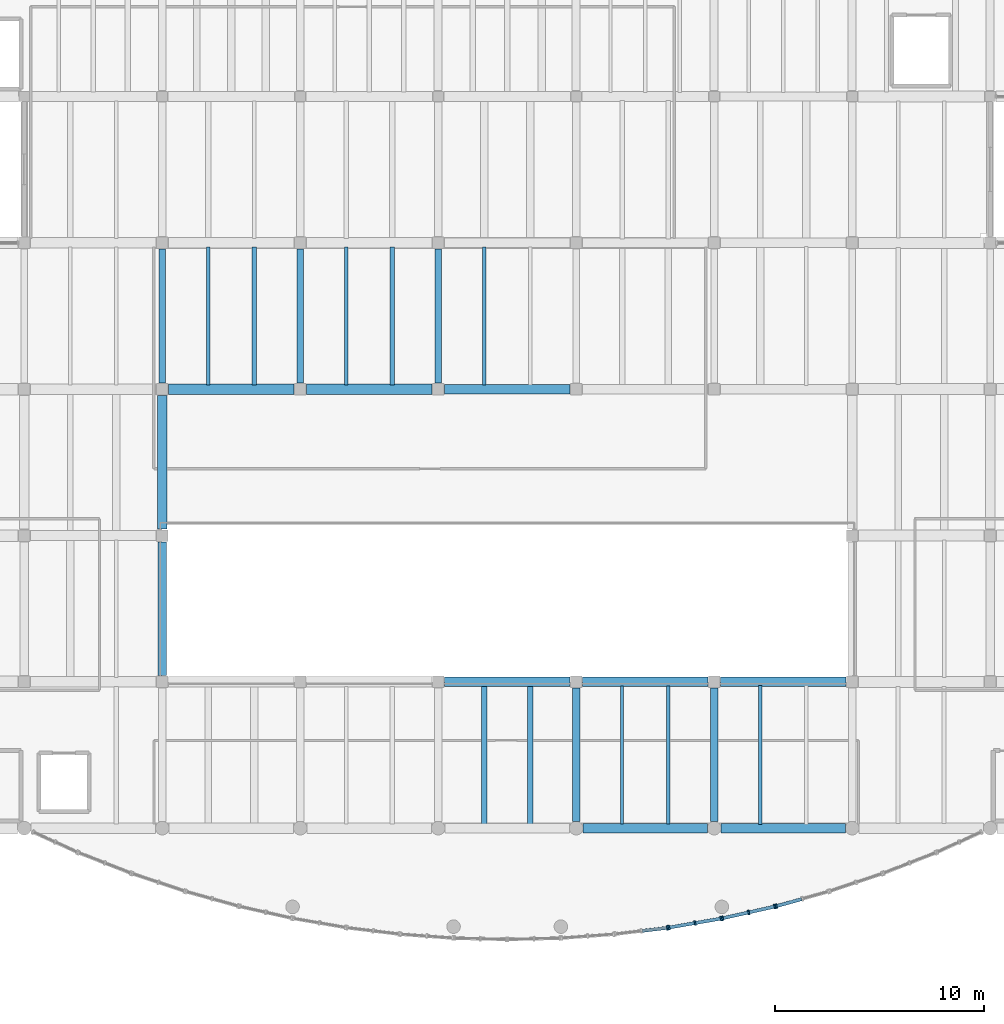
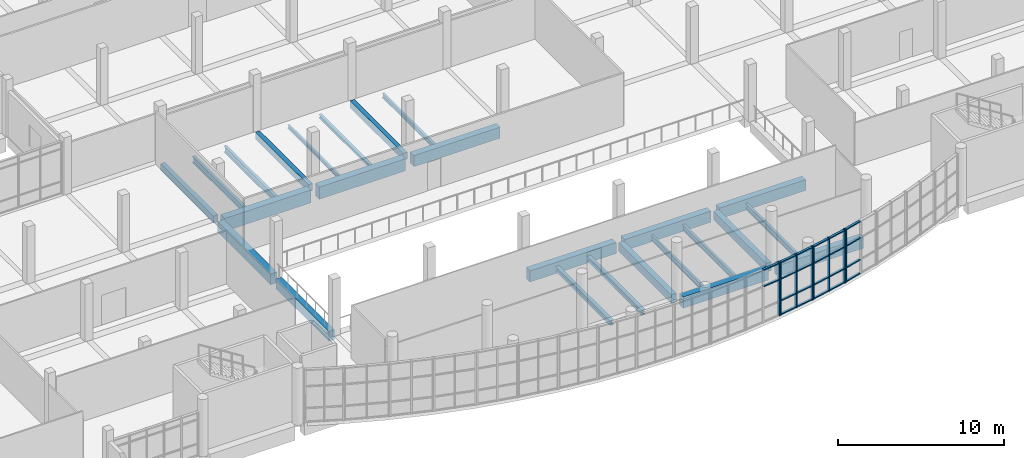
# One storey, part 11 of 65: 30 members, 25 beams, 4 elements without a shape of their own.
"""IFC4 building model written with IfcOpenShell, lengths in metres."""

from ifc_helpers import new_model, si_unit, direction, frame, origin, origin_2d, place, context, subcontext, project, spatial, rectangle, i_section, extrude, material, material_profile, profile_set, type_object, element, aggregate, save


model = new_model("IFC4")

# Units and contexts
model_context = context("Model", 3, precision=1e-05, world=origin(), true_north=direction((0.0, 1.0)))
body_context = subcontext(model_context, "Body", "Model", "MODEL_VIEW")
ifc_project = project(units=[si_unit("LENGTHUNIT", "METRE"), si_unit("AREAUNIT", "SQUARE_METRE"), si_unit("VOLUMEUNIT", "CUBIC_METRE"), si_unit("PLANEANGLEUNIT", "RADIAN"), si_unit("MASSUNIT", "GRAM", prefix="KILO")], contexts=[model_context])

# Site, building, storey
site_placement = place(None, origin())
site = spatial("IfcSite", under=ifc_project, at=site_placement, CompositionType="ELEMENT")
building_placement = place(site_placement, origin())
building = spatial("IfcBuilding", under=site, at=building_placement, Name="Ciguamira Faculty of Natural Sciences", CompositionType="ELEMENT")
storey_placement = place(building_placement, frame((0.0, 0.0, 12.60009765625)))
storey = spatial("IfcBuildingStorey", under=building, at=storey_placement, Name="L03", CompositionType="ELEMENT", Elevation=12.60009765625)

# Curtain wall, member
ifc_material_1 = material(Name="Anodized aluminium curtain wall", Category="aluminium")
curtain_wall_type_1 = type_object("IfcCurtainWallType", Name="CurtainWall_CW-11", PredefinedType="USERDEFINED", material=ifc_material_1)
curtain_wall_1_placement = place(storey_placement, origin())
curtain_wall_1 = element("IfcCurtainWall", 1, at=curtain_wall_1_placement, inside=storey, type_object=curtain_wall_type_1, Name="L03 south gallery curved curtain wall 12", ObjectType="UNITISED CURTAIN WALL", PredefinedType="USERDEFINED")
ifc_material_2 = material(Name="Anodized aluminium mullion", Category="aluminium")
ifc_material_profile_1 = material_profile(ifc_material_2, rectangle(XDim=0.080078125, YDim=0.219970703125, at=origin_2d()), Name="ALU-MUL-80X220")
ifc_profile_set_1 = profile_set([ifc_material_profile_1], Name="Anodized aluminium mullion")
member_type_1 = type_object("IfcMemberType", Name="CWMullion_CWM-03", PredefinedType="MULLION", material=ifc_profile_set_1)
member_1_placement = place(storey_placement, frame((94.660400390625, 5.23828125, 0.0), z_axis=(0.0, 0.0, 1.0), x_axis=(0.992585912631, 0.12154507825, 0.0)))
member_1 = element("IfcMember", 2, at=member_1_placement, type_object=member_type_1, Name="CW-11 mullion 3", PredefinedType="MULLION", context=body_context, shape_type="SweptSolid", body=[
    extrude(rectangle(XDim=0.080078125, YDim=0.219970703125, at=origin_2d()), origin(), (0.0, 0.0, 1.0), 3.89990234375),
])

# Curtain wall, members
curtain_wall_type_2 = type_object("IfcCurtainWallType", Name="CurtainWall_CW-12", PredefinedType="USERDEFINED", material=ifc_material_1)
curtain_wall_2_placement = place(storey_placement, origin())
curtain_wall_2 = element("IfcCurtainWall", 3, at=curtain_wall_2_placement, inside=storey, type_object=curtain_wall_type_2, Name="L03 south gallery curved curtain wall 13", ObjectType="UNITISED CURTAIN WALL", PredefinedType="USERDEFINED")
member_2_placement = place(storey_placement, frame((94.739501953125, 5.25, 0.0), z_axis=(0.0, 0.0, 1.0), x_axis=(0.985410865099, 0.170192323402, 0.0)))
member_2 = element("IfcMember", 4, at=member_2_placement, type_object=member_type_1, Name="CW-12 mullion 1", PredefinedType="MULLION", context=body_context, shape_type="SweptSolid", body=[
    extrude(rectangle(XDim=0.080078125, YDim=0.219970703125, at=origin_2d()), origin(), (0.0, 0.0, 1.0), 3.89990234375),
])
member_3_placement = place(storey_placement, frame((95.9833984375, 5.46484375, 0.0), z_axis=(0.0, 0.0, 1.0), x_axis=(0.985410865099, 0.170192323402, 0.0)))
member_3 = element("IfcMember", 5, at=member_3_placement, type_object=member_type_1, Name="CW-12 mullion 2", PredefinedType="MULLION", context=body_context, shape_type="SweptSolid", body=[
    extrude(rectangle(XDim=0.080078125, YDim=0.219970703125, at=origin_2d()), origin(), (0.0, 0.0, 1.0), 3.89990234375),
])
member_4_placement = place(storey_placement, frame((97.227294921875, 5.6796875, 0.0), z_axis=(0.0, 0.0, 1.0), x_axis=(0.985410865099, 0.170192323402, 0.0)))
member_4 = element("IfcMember", 6, at=member_4_placement, type_object=member_type_1, Name="CW-12 mullion 3", PredefinedType="MULLION", context=body_context, shape_type="SweptSolid", body=[
    extrude(rectangle(XDim=0.080078125, YDim=0.219970703125, at=origin_2d()), origin(), (0.0, 0.0, 1.0), 3.89990234375),
])

curtain_wall_type_3 = type_object("IfcCurtainWallType", Name="CurtainWall_CW-01", PredefinedType="USERDEFINED", material=ifc_material_1)
curtain_wall_3_placement = place(storey_placement, origin())
curtain_wall_3 = element("IfcCurtainWall", 7, at=curtain_wall_3_placement, inside=storey, type_object=curtain_wall_type_3, Name="L03 south gallery curved curtain wall 14", ObjectType="UNITISED CURTAIN WALL", PredefinedType="USERDEFINED")
member_5_placement = place(storey_placement, frame((97.3056640625, 5.6953125, 0.0), z_axis=(0.0, 0.0, 1.0), x_axis=(0.975762990759, 0.218830038763, 0.0)))
member_5 = element("IfcMember", 8, at=member_5_placement, type_object=member_type_1, Name="CW-01 mullion 1", PredefinedType="MULLION", context=body_context, shape_type="SweptSolid", body=[
    extrude(rectangle(XDim=0.080078125, YDim=0.219970703125, at=origin_2d()), origin(), (0.0, 0.0, 1.0), 3.89990234375),
])
member_6_placement = place(storey_placement, frame((98.550048828125, 5.974365234375, 0.0), z_axis=(0.0, 0.0, 1.0), x_axis=(0.975762990759, 0.218830038763, 0.0)))
member_6 = element("IfcMember", 9, at=member_6_placement, type_object=member_type_1, Name="CW-01 mullion 2", PredefinedType="MULLION", context=body_context, shape_type="SweptSolid", body=[
    extrude(rectangle(XDim=0.080078125, YDim=0.219970703125, at=origin_2d()), origin(), (0.0, 0.0, 1.0), 3.89990234375),
])
member_7_placement = place(storey_placement, frame((99.794189453125, 6.25341796875, 0.0), z_axis=(0.0, 0.0, 1.0), x_axis=(0.975762990759, 0.218830038763, 0.0)))
member_7 = element("IfcMember", 10, at=member_7_placement, type_object=member_type_1, Name="CW-01 mullion 3", PredefinedType="MULLION", context=body_context, shape_type="SweptSolid", body=[
    extrude(rectangle(XDim=0.080078125, YDim=0.219970703125, at=origin_2d()), origin(), (0.0, 0.0, 1.0), 3.89990234375),
])

# Curtain wall, member
curtain_wall_type_4 = type_object("IfcCurtainWallType", Name="CurtainWall_CW-02", PredefinedType="USERDEFINED", material=ifc_material_1)
curtain_wall_4_placement = place(storey_placement, origin())
curtain_wall_4 = element("IfcCurtainWall", 11, at=curtain_wall_4_placement, inside=storey, type_object=curtain_wall_type_4, Name="L03 south gallery curved curtain wall 15", ObjectType="UNITISED CURTAIN WALL", PredefinedType="USERDEFINED")
member_8_placement = place(storey_placement, frame((99.871826171875, 6.272705078125, 0.0), z_axis=(0.0, 0.0, 1.0), x_axis=(0.963573286652, 0.267444426472, 0.0)))
member_8 = element("IfcMember", 12, at=member_8_placement, type_object=member_type_1, Name="CW-02 mullion 1", PredefinedType="MULLION", context=body_context, shape_type="SweptSolid", body=[
    extrude(rectangle(XDim=0.080078125, YDim=0.219970703125, at=origin_2d()), origin(), (0.0, 0.0, 1.0), 3.89990234375),
])

# Member
ifc_material_3 = material(Name="Anodized aluminium transom", Category="aluminium")
ifc_material_profile_2 = material_profile(ifc_material_3, rectangle(XDim=0.080078125, YDim=0.159912109375, at=origin_2d()), Name="ALU-TRN-80X160")
ifc_profile_set_2 = profile_set([ifc_material_profile_2], Name="Anodized aluminium transom")
member_type_2 = type_object("IfcMemberType", Name="CWTransom_CWT-03", PredefinedType="USERDEFINED", material=ifc_profile_set_2)
member_9_placement = place(storey_placement, frame((93.456298828125, 5.0908203125, 2.64990234375), z_axis=(0.992585363796, 0.121549560171, 0.0), x_axis=(0.0, 0.0, 1.0)))
member_9 = element("IfcMember", 13, at=member_9_placement, type_object=member_type_2, Name="CW-11 transom 2.3", ObjectType="TRANSOM", PredefinedType="USERDEFINED", context=body_context, shape_type="SweptSolid", body=[
    extrude(rectangle(XDim=0.080078125, YDim=0.159912109375, at=origin_2d()), origin(), (0.0, 0.0, 1.0), 1.173095703125),
])

member_10_placement = place(storey_placement, frame((93.456298828125, 5.0908203125, 3.85986328125), z_axis=(0.992585363796, 0.121549560171, 0.0), x_axis=(0.0, 0.0, 1.0)))
member_10 = element("IfcMember", 14, at=member_10_placement, type_object=member_type_2, Name="CW-11 transom 2.4", ObjectType="TRANSOM", PredefinedType="USERDEFINED", context=body_context, shape_type="SweptSolid", body=[
    extrude(rectangle(XDim=0.080078125, YDim=0.159912109375, at=origin_2d()), origin(), (0.0, 0.0, 1.0), 1.173095703125),
])

aggregate(curtain_wall_1, [member_1, member_9, member_10])

member_11_placement = place(storey_placement, frame((94.77880859375, 5.2568359375, 0.039794921875), z_axis=(0.985417162859, 0.170155855448, 0.0), x_axis=(0.0, 0.0, 1.0)))
member_11 = element("IfcMember", 15, at=member_11_placement, type_object=member_type_2, Name="CW-12 transom 1.1", ObjectType="TRANSOM", PredefinedType="USERDEFINED", context=body_context, shape_type="SweptSolid", body=[
    extrude(rectangle(XDim=0.080078125, YDim=0.159912109375, at=origin_2d()), origin(), (0.0, 0.0, 1.0), 1.182373046875),
])

member_12_placement = place(storey_placement, frame((94.77880859375, 5.2568359375, 1.0498046875), z_axis=(0.985417162859, 0.170155855448, 0.0), x_axis=(0.0, 0.0, 1.0)))
member_12 = element("IfcMember", 16, at=member_12_placement, type_object=member_type_2, Name="CW-12 transom 1.2", ObjectType="TRANSOM", PredefinedType="USERDEFINED", context=body_context, shape_type="SweptSolid", body=[
    extrude(rectangle(XDim=0.080078125, YDim=0.159912109375, at=origin_2d()), origin(), (0.0, 0.0, 1.0), 1.182373046875),
])

member_13_placement = place(storey_placement, frame((94.77880859375, 5.2568359375, 2.64990234375), z_axis=(0.985417162859, 0.170155855448, 0.0), x_axis=(0.0, 0.0, 1.0)))
member_13 = element("IfcMember", 17, at=member_13_placement, type_object=member_type_2, Name="CW-12 transom 1.3", ObjectType="TRANSOM", PredefinedType="USERDEFINED", context=body_context, shape_type="SweptSolid", body=[
    extrude(rectangle(XDim=0.080078125, YDim=0.159912109375, at=origin_2d()), origin(), (0.0, 0.0, 1.0), 1.182373046875),
])

member_14_placement = place(storey_placement, frame((94.77880859375, 5.2568359375, 3.85986328125), z_axis=(0.985417162859, 0.170155855448, 0.0), x_axis=(0.0, 0.0, 1.0)))
member_14 = element("IfcMember", 18, at=member_14_placement, type_object=member_type_2, Name="CW-12 transom 1.4", ObjectType="TRANSOM", PredefinedType="USERDEFINED", context=body_context, shape_type="SweptSolid", body=[
    extrude(rectangle(XDim=0.080078125, YDim=0.159912109375, at=origin_2d()), origin(), (0.0, 0.0, 1.0), 1.182373046875),
])

member_15_placement = place(storey_placement, frame((96.022705078125, 5.4716796875, 0.039794921875), z_axis=(0.985423139827, 0.170121237632, 0.0), x_axis=(0.0, 0.0, 1.0)))
member_15 = element("IfcMember", 19, at=member_15_placement, type_object=member_type_2, Name="CW-12 transom 2.1", ObjectType="TRANSOM", PredefinedType="USERDEFINED", context=body_context, shape_type="SweptSolid", body=[
    extrude(rectangle(XDim=0.080078125, YDim=0.159912109375, at=origin_2d()), origin(), (0.0, 0.0, 1.0), 1.1826171875),
])

member_16_placement = place(storey_placement, frame((96.022705078125, 5.4716796875, 1.0498046875), z_axis=(0.985423139827, 0.170121237632, 0.0), x_axis=(0.0, 0.0, 1.0)))
member_16 = element("IfcMember", 20, at=member_16_placement, type_object=member_type_2, Name="CW-12 transom 2.2", ObjectType="TRANSOM", PredefinedType="USERDEFINED", context=body_context, shape_type="SweptSolid", body=[
    extrude(rectangle(XDim=0.080078125, YDim=0.159912109375, at=origin_2d()), origin(), (0.0, 0.0, 1.0), 1.1826171875),
])

member_17_placement = place(storey_placement, frame((96.022705078125, 5.4716796875, 2.64990234375), z_axis=(0.985423139827, 0.170121237632, 0.0), x_axis=(0.0, 0.0, 1.0)))
member_17 = element("IfcMember", 21, at=member_17_placement, type_object=member_type_2, Name="CW-12 transom 2.3", ObjectType="TRANSOM", PredefinedType="USERDEFINED", context=body_context, shape_type="SweptSolid", body=[
    extrude(rectangle(XDim=0.080078125, YDim=0.159912109375, at=origin_2d()), origin(), (0.0, 0.0, 1.0), 1.1826171875),
])

member_18_placement = place(storey_placement, frame((96.022705078125, 5.4716796875, 3.85986328125), z_axis=(0.985423139827, 0.170121237632, 0.0), x_axis=(0.0, 0.0, 1.0)))
member_18 = element("IfcMember", 22, at=member_18_placement, type_object=member_type_2, Name="CW-12 transom 2.4", ObjectType="TRANSOM", PredefinedType="USERDEFINED", context=body_context, shape_type="SweptSolid", body=[
    extrude(rectangle(XDim=0.080078125, YDim=0.159912109375, at=origin_2d()), origin(), (0.0, 0.0, 1.0), 1.1826171875),
])

aggregate(curtain_wall_2, [member_2, member_3, member_4, member_11, member_12, member_13, member_14, member_15, member_16, member_17, member_18])

member_19_placement = place(storey_placement, frame((97.3447265625, 5.7041015625, 0.039794921875), z_axis=(0.97577679791, 0.218768463588, 0.0), x_axis=(0.0, 0.0, 1.0)))
member_19 = element("IfcMember", 23, at=member_19_placement, type_object=member_type_2, Name="CW-01 transom 1.1", ObjectType="TRANSOM", PredefinedType="USERDEFINED", context=body_context, shape_type="SweptSolid", body=[
    extrude(rectangle(XDim=0.080078125, YDim=0.159912109375, at=origin_2d()), origin(), (0.0, 0.0, 1.0), 1.1953125),
])

member_20_placement = place(storey_placement, frame((97.3447265625, 5.7041015625, 1.0498046875), z_axis=(0.97577679791, 0.218768463588, 0.0), x_axis=(0.0, 0.0, 1.0)))
member_20 = element("IfcMember", 24, at=member_20_placement, type_object=member_type_2, Name="CW-01 transom 1.2", ObjectType="TRANSOM", PredefinedType="USERDEFINED", context=body_context, shape_type="SweptSolid", body=[
    extrude(rectangle(XDim=0.080078125, YDim=0.159912109375, at=origin_2d()), origin(), (0.0, 0.0, 1.0), 1.1953125),
])

member_21_placement = place(storey_placement, frame((97.3447265625, 5.7041015625, 2.64990234375), z_axis=(0.97577679791, 0.218768463588, 0.0), x_axis=(0.0, 0.0, 1.0)))
member_21 = element("IfcMember", 25, at=member_21_placement, type_object=member_type_2, Name="CW-01 transom 1.3", ObjectType="TRANSOM", PredefinedType="USERDEFINED", context=body_context, shape_type="SweptSolid", body=[
    extrude(rectangle(XDim=0.080078125, YDim=0.159912109375, at=origin_2d()), origin(), (0.0, 0.0, 1.0), 1.1953125),
])

member_22_placement = place(storey_placement, frame((97.3447265625, 5.7041015625, 3.85986328125), z_axis=(0.97577679791, 0.218768463588, 0.0), x_axis=(0.0, 0.0, 1.0)))
member_22 = element("IfcMember", 26, at=member_22_placement, type_object=member_type_2, Name="CW-01 transom 1.4", ObjectType="TRANSOM", PredefinedType="USERDEFINED", context=body_context, shape_type="SweptSolid", body=[
    extrude(rectangle(XDim=0.080078125, YDim=0.159912109375, at=origin_2d()), origin(), (0.0, 0.0, 1.0), 1.1953125),
])

member_23_placement = place(storey_placement, frame((98.589111328125, 5.983154296875, 0.039794921875), z_axis=(0.975767018908, 0.218812076476, 0.0), x_axis=(0.0, 0.0, 1.0)))
member_23 = element("IfcMember", 27, at=member_23_placement, type_object=member_type_2, Name="CW-01 transom 2.1", ObjectType="TRANSOM", PredefinedType="USERDEFINED", context=body_context, shape_type="SweptSolid", body=[
    extrude(rectangle(XDim=0.080078125, YDim=0.159912109375, at=origin_2d()), origin(), (0.0, 0.0, 1.0), 1.195068359375),
])

member_24_placement = place(storey_placement, frame((98.589111328125, 5.983154296875, 1.0498046875), z_axis=(0.975767018908, 0.218812076476, 0.0), x_axis=(0.0, 0.0, 1.0)))
member_24 = element("IfcMember", 28, at=member_24_placement, type_object=member_type_2, Name="CW-01 transom 2.2", ObjectType="TRANSOM", PredefinedType="USERDEFINED", context=body_context, shape_type="SweptSolid", body=[
    extrude(rectangle(XDim=0.080078125, YDim=0.159912109375, at=origin_2d()), origin(), (0.0, 0.0, 1.0), 1.195068359375),
])

member_25_placement = place(storey_placement, frame((98.589111328125, 5.983154296875, 2.64990234375), z_axis=(0.975767018908, 0.218812076476, 0.0), x_axis=(0.0, 0.0, 1.0)))
member_25 = element("IfcMember", 29, at=member_25_placement, type_object=member_type_2, Name="CW-01 transom 2.3", ObjectType="TRANSOM", PredefinedType="USERDEFINED", context=body_context, shape_type="SweptSolid", body=[
    extrude(rectangle(XDim=0.080078125, YDim=0.159912109375, at=origin_2d()), origin(), (0.0, 0.0, 1.0), 1.195068359375),
])

member_26_placement = place(storey_placement, frame((98.589111328125, 5.983154296875, 3.85986328125), z_axis=(0.975767018908, 0.218812076476, 0.0), x_axis=(0.0, 0.0, 1.0)))
member_26 = element("IfcMember", 30, at=member_26_placement, type_object=member_type_2, Name="CW-01 transom 2.4", ObjectType="TRANSOM", PredefinedType="USERDEFINED", context=body_context, shape_type="SweptSolid", body=[
    extrude(rectangle(XDim=0.080078125, YDim=0.159912109375, at=origin_2d()), origin(), (0.0, 0.0, 1.0), 1.195068359375),
])

aggregate(curtain_wall_3, [member_5, member_6, member_7, member_19, member_20, member_21, member_22, member_23, member_24, member_25, member_26])

member_27_placement = place(storey_placement, frame((99.910400390625, 6.283447265625, 0.039794921875), z_axis=(0.963549650457, 0.267529570522, 0.0), x_axis=(0.0, 0.0, 1.0)))
member_27 = element("IfcMember", 31, at=member_27_placement, type_object=member_type_2, Name="CW-02 transom 1.1", ObjectType="TRANSOM", PredefinedType="USERDEFINED", context=body_context, shape_type="SweptSolid", body=[
    extrude(rectangle(XDim=0.080078125, YDim=0.159912109375, at=origin_2d()), origin(), (0.0, 0.0, 1.0), 1.2119140625),
])

member_28_placement = place(storey_placement, frame((99.910400390625, 6.283447265625, 1.0498046875), z_axis=(0.963549650457, 0.267529570522, 0.0), x_axis=(0.0, 0.0, 1.0)))
member_28 = element("IfcMember", 32, at=member_28_placement, type_object=member_type_2, Name="CW-02 transom 1.2", ObjectType="TRANSOM", PredefinedType="USERDEFINED", context=body_context, shape_type="SweptSolid", body=[
    extrude(rectangle(XDim=0.080078125, YDim=0.159912109375, at=origin_2d()), origin(), (0.0, 0.0, 1.0), 1.2119140625),
])

member_29_placement = place(storey_placement, frame((99.910400390625, 6.283447265625, 2.64990234375), z_axis=(0.963549650457, 0.267529570522, 0.0), x_axis=(0.0, 0.0, 1.0)))
member_29 = element("IfcMember", 33, at=member_29_placement, type_object=member_type_2, Name="CW-02 transom 1.3", ObjectType="TRANSOM", PredefinedType="USERDEFINED", context=body_context, shape_type="SweptSolid", body=[
    extrude(rectangle(XDim=0.080078125, YDim=0.159912109375, at=origin_2d()), origin(), (0.0, 0.0, 1.0), 1.2119140625),
])

member_30_placement = place(storey_placement, frame((99.910400390625, 6.283447265625, 3.85986328125), z_axis=(0.963549650457, 0.267529570522, 0.0), x_axis=(0.0, 0.0, 1.0)))
member_30 = element("IfcMember", 34, at=member_30_placement, type_object=member_type_2, Name="CW-02 transom 1.4", ObjectType="TRANSOM", PredefinedType="USERDEFINED", context=body_context, shape_type="SweptSolid", body=[
    extrude(rectangle(XDim=0.080078125, YDim=0.159912109375, at=origin_2d()), origin(), (0.0, 0.0, 1.0), 1.2119140625),
])

aggregate(curtain_wall_4, [member_8, member_27, member_28, member_29, member_30])

# Beams
ifc_material_4 = material(Name="Concrete C40/50", Category="concrete")
ifc_material_profile_3 = material_profile(ifc_material_4, rectangle(XDim=0.5, YDim=0.949951171875, at=origin_2d()), Name="RC-BM-500X950")
ifc_profile_set_3 = profile_set([ifc_material_profile_3], Name="Concrete C40/50")
beam_type_1 = type_object("IfcBeamType", Name="RCBeam_BG-02_RC-BM-500X950", PredefinedType="BEAM", material=ifc_profile_set_3)
beam_1_placement = place(storey_placement, frame((70.800048828125, 31.0, -0.47509765625), z_axis=(1.0, 0.0, 0.0), x_axis=(0.0, 1.0, 0.0)))
element("IfcBeam", 35, at=beam_1_placement, inside=storey, type_object=beam_type_1, Name="L03 RC girder EW-1072", PredefinedType="BEAM", context=body_context, shape_type="SweptSolid", body=[
    extrude(rectangle(XDim=0.5, YDim=0.949951171875, at=origin_2d()), origin(), (0.0, 0.0, 1.0), 6.0),
])
ifc_material_profile_4 = material_profile(ifc_material_4, rectangle(XDim=0.5, YDim=0.89990234375, at=origin_2d()), Name="RC-BM-500X900")
ifc_profile_set_4 = profile_set([ifc_material_profile_4], Name="Concrete C40/50")
beam_type_2 = type_object("IfcBeamType", Name="RCBeam_BG-03_RC-BM-500X900", PredefinedType="BEAM", material=ifc_profile_set_4)
beam_2_placement = place(storey_placement, frame((77.39990234375, 31.0, -0.4501953125), z_axis=(1.0, 0.0, 0.0), x_axis=(0.0, 1.0, 0.0)))
element("IfcBeam", 36, at=beam_2_placement, inside=storey, type_object=beam_type_2, Name="L03 RC girder EW-1073", PredefinedType="BEAM", context=body_context, shape_type="SweptSolid", body=[
    extrude(rectangle(XDim=0.5, YDim=0.89990234375, at=origin_2d()), origin(), (0.0, 0.0, 1.0), 6.0),
])
ifc_material_profile_5 = material_profile(ifc_material_4, rectangle(XDim=0.4599609375, YDim=0.820068359375, at=origin_2d()), Name="RC-BM-460X820")
ifc_profile_set_5 = profile_set([ifc_material_profile_5], Name="Concrete C40/50")
beam_type_3 = type_object("IfcBeamType", Name="RCBeam_BG-04_RC-BM-460X820", PredefinedType="BEAM", material=ifc_profile_set_5)
beam_3_placement = place(storey_placement, frame((90.625, 10.0, -0.41015625), z_axis=(1.0, 0.0, 0.0), x_axis=(0.0, 1.0, 0.0)))
element("IfcBeam", 37, at=beam_3_placement, inside=storey, type_object=beam_type_3, Name="L03 RC girder EW-1033", PredefinedType="BEAM", context=body_context, shape_type="SweptSolid", body=[
    extrude(rectangle(XDim=0.4599609375, YDim=0.820068359375, at=origin_2d()), origin(), (0.0, 0.0, 1.0), 5.949951171875),
])
for number, where, z_axis, x_axis, name in (
    (38, (84.0, 17.0, -0.41015625), (1.0, 0.0, 0.0), (0.0, 1.0, 0.0), "L03 RC girder EW-1050"),
    (39, (90.60009765625, 17.0, -0.41015625), (1.0, 0.0, 0.0), (0.0, 1.0, 0.0), "L03 RC girder EW-1051"),
    (40, (84.0, 31.0, -0.41015625), (1.0, 0.0, 0.0), (0.0, 1.0, 0.0), "L03 RC girder EW-1074"),
):
    element("IfcBeam", number, at=place(storey_placement, frame(where, z_axis=z_axis, x_axis=x_axis)), inside=storey, type_object=beam_type_3, Name=name, PredefinedType="BEAM", context=body_context, shape_type="SweptSolid", body=[
        extrude(rectangle(XDim=0.4599609375, YDim=0.820068359375, at=origin_2d()), origin(), (0.0, 0.0, 1.0), 6.0),
    ])
ifc_material_profile_6 = material_profile(ifc_material_4, rectangle(XDim=0.449951171875, YDim=0.800048828125, at=origin_2d()), Name="RC-BM-450X800")
ifc_profile_set_6 = profile_set([ifc_material_profile_6], Name="Concrete C40/50")
beam_type_4 = type_object("IfcBeamType", Name="RCBeam_BG-05_RC-BM-450X800", PredefinedType="BEAM", material=ifc_profile_set_6)
beam_4_placement = place(storey_placement, frame((97.22509765625, 10.0, -0.400146484375), z_axis=(1.0, 0.0, 0.0), x_axis=(0.0, 1.0, 0.0)))
element("IfcBeam", 41, at=beam_4_placement, inside=storey, type_object=beam_type_4, Name="L03 RC girder EW-1034", PredefinedType="BEAM", context=body_context, shape_type="SweptSolid", body=[
    extrude(rectangle(XDim=0.449951171875, YDim=0.800048828125, at=origin_2d()), origin(), (0.0, 0.0, 1.0), 5.949951171875),
])
beam_5_placement = place(storey_placement, frame((97.199951171875, 17.0, -0.400146484375), z_axis=(1.0, 0.0, 0.0), x_axis=(0.0, 1.0, 0.0)))
element("IfcBeam", 42, at=beam_5_placement, inside=storey, type_object=beam_type_4, Name="L03 RC girder EW-1052", PredefinedType="BEAM", context=body_context, shape_type="SweptSolid", body=[
    extrude(rectangle(XDim=0.449951171875, YDim=0.800048828125, at=origin_2d()), origin(), (0.0, 0.0, 1.0), 6.0),
])
ifc_material_profile_7 = material_profile(ifc_material_4, rectangle(XDim=0.43994140625, YDim=0.780029296875, at=origin_2d()), Name="RC-BM-440X780")
ifc_profile_set_7 = profile_set([ifc_material_profile_7], Name="Concrete C40/50")
beam_type_5 = type_object("IfcBeamType", Name="RCBeam_BG-06_RC-BM-440X780", PredefinedType="BEAM", material=ifc_profile_set_7)
beam_6_placement = place(storey_placement, frame((70.5, 24.300048828125, -0.39013671875), z_axis=(0.0, 1.0, 0.0), x_axis=(-1.0, 0.0, 0.0)))
element("IfcBeam", 43, at=beam_6_placement, inside=storey, type_object=beam_type_5, Name="L03 girder NS-1231", PredefinedType="BEAM", context=body_context, shape_type="SweptSolid", body=[
    extrude(rectangle(XDim=0.43994140625, YDim=0.780029296875, at=origin_2d()), origin(), (0.0, 0.0, 1.0), 6.39990234375),
])
ifc_material_profile_8 = material_profile(ifc_material_4, rectangle(XDim=0.39990234375, YDim=0.699951171875, at=origin_2d()), Name="RC-BM-400X700")
ifc_profile_set_8 = profile_set([ifc_material_profile_8], Name="Concrete C40/50")
beam_type_6 = type_object("IfcBeamType", Name="RCBeam_BG-08_RC-BM-400X700", PredefinedType="BEAM", material=ifc_profile_set_8)
beam_7_placement = place(storey_placement, frame((70.5, 17.300048828125, -0.35009765625), z_axis=(0.0, 1.0, 0.0), x_axis=(-1.0, 0.0, 0.0)))
element("IfcBeam", 44, at=beam_7_placement, inside=storey, type_object=beam_type_6, Name="L03 girder NS-1230", PredefinedType="BEAM", context=body_context, shape_type="SweptSolid", body=[
    extrude(rectangle(XDim=0.39990234375, YDim=0.699951171875, at=origin_2d()), origin(), (0.0, 0.0, 1.0), 6.39990234375),
])
ifc_material_profile_9 = material_profile(ifc_material_4, rectangle(XDim=0.360107421875, YDim=0.639892578125, at=origin_2d()), Name="RC-BM-360X640")
ifc_profile_set_9 = profile_set([ifc_material_profile_9], Name="Concrete C40/50")
beam_type_7 = type_object("IfcBeamType", Name="RCBeam_BG-10_RC-BM-360X640", PredefinedType="BEAM", material=ifc_profile_set_9)
for number, where, z_axis, x_axis, name in (
    (45, (90.300048828125, 10.324951171875, -0.320068359375), (0.0, 1.0, 0.0), (-1.0, 0.0, 0.0), "L03 girder NS-1262"),
    (46, (96.89990234375, 10.324951171875, -0.320068359375), (0.0, 1.0, 0.0), (-1.0, 0.0, 0.0), "L03 girder NS-1273"),
):
    element("IfcBeam", number, at=place(storey_placement, frame(where, z_axis=z_axis, x_axis=x_axis)), inside=storey, type_object=beam_type_7, Name=name, PredefinedType="BEAM", context=body_context, shape_type="SweptSolid", body=[
        extrude(rectangle(XDim=0.360107421875, YDim=0.639892578125, at=origin_2d()), origin(), (0.0, 0.0, 1.0), 6.375),
    ])
ifc_material_profile_10 = material_profile(ifc_material_4, rectangle(XDim=0.300048828125, YDim=0.52001953125, at=origin_2d()), Name="RC-BM-300X520")
ifc_profile_set_10 = profile_set([ifc_material_profile_10], Name="Concrete C40/50")
beam_type_8 = type_object("IfcBeamType", Name="RCBeam_BG-13_RC-BM-300X520", PredefinedType="BEAM", material=ifc_profile_set_10)
for number, where, z_axis, x_axis, name in (
    (47, (70.5, 31.300048828125, -0.260009765625), (0.0, 1.0, 0.0), (-1.0, 0.0, 0.0), "L03 girder NS-1232"),
    (48, (77.10009765625, 31.300048828125, -0.260009765625), (0.0, 1.0, 0.0), (-1.0, 0.0, 0.0), "L03 girder NS-1242"),
    (49, (83.699951171875, 31.300048828125, -0.260009765625), (0.0, 1.0, 0.0), (-1.0, 0.0, 0.0), "L03 girder NS-1252"),
):
    element("IfcBeam", number, at=place(storey_placement, frame(where, z_axis=z_axis, x_axis=x_axis)), inside=storey, type_object=beam_type_8, Name=name, PredefinedType="BEAM", context=body_context, shape_type="SweptSolid", body=[
        extrude(rectangle(XDim=0.300048828125, YDim=0.52001953125, at=origin_2d()), origin(), (0.0, 0.0, 1.0), 6.39990234375),
    ])
ifc_material_5 = material(Name="Steel ASTM A992 Grade 50", Category="steel")
ifc_material_profile_11 = material_profile(ifc_material_5, i_section(OverallWidth=0.14599609375, OverallDepth=0.259033203125, WebThickness=0.006103515625, FlangeThickness=0.009033203125, at=origin_2d()), Name="W10X22")
ifc_profile_set_11 = profile_set([ifc_material_profile_11], Name="Steel ASTM A992 Grade 50")
beam_type_9 = type_object("IfcBeamType", Name="SteelJoist_SJ-01_W10X22", PredefinedType="JOIST", material=ifc_profile_set_11)
beam_8_placement = place(storey_placement, frame((79.300048828125, 31.2099609375, -0.4296875), z_axis=(0.0, 1.0, 0.0), x_axis=(-1.0, 0.0, 0.0)))
element("IfcBeam", 50, at=beam_8_placement, inside=storey, type_object=beam_type_9, Name="L03 composite steel joist 01104", PredefinedType="JOIST", context=body_context, shape_type="SweptSolid", body=[
    extrude(i_section(OverallWidth=0.14599609375, OverallDepth=0.259033203125, WebThickness=0.006103515625, FlangeThickness=0.009033203125, at=origin_2d()), origin(), (0.0, 0.0, 1.0), 6.580078125),
])
ifc_material_profile_12 = material_profile(ifc_material_5, i_section(OverallWidth=0.2021484375, OverallDepth=0.2470703125, WebThickness=0.00732421875, FlangeThickness=0.010986328125, at=origin_2d()), Name="W10X33")
ifc_profile_set_12 = profile_set([ifc_material_profile_12], Name="Steel ASTM A992 Grade 50")
beam_type_10 = type_object("IfcBeamType", Name="SteelJoist_SJ-02_W10X33", PredefinedType="JOIST", material=ifc_profile_set_12)
beam_9_placement = place(storey_placement, frame((81.5, 31.2099609375, -0.423583984375), z_axis=(0.0, 1.0, 0.0), x_axis=(-1.0, 0.0, 0.0)))
element("IfcBeam", 51, at=beam_9_placement, inside=storey, type_object=beam_type_10, Name="L03 composite steel joist 01105", PredefinedType="JOIST", context=body_context, shape_type="SweptSolid", body=[
    extrude(i_section(OverallWidth=0.2021484375, OverallDepth=0.2470703125, WebThickness=0.00732421875, FlangeThickness=0.010986328125, at=origin_2d()), origin(), (0.0, 0.0, 1.0), 6.580078125),
])
ifc_material_profile_13 = material_profile(ifc_material_5, i_section(OverallWidth=0.164794921875, OverallDepth=0.309814453125, WebThickness=0.005859375, FlangeThickness=0.009765625, at=origin_2d()), Name="W12X26")
ifc_profile_set_13 = profile_set([ifc_material_profile_13], Name="Steel ASTM A992 Grade 50")
beam_type_11 = type_object("IfcBeamType", Name="SteelJoist_SJ-04_W12X26", PredefinedType="JOIST", material=ifc_profile_set_13)
beam_10_placement = place(storey_placement, frame((85.89990234375, 31.18994140625, -0.455078125), z_axis=(0.0, 1.0, 0.0), x_axis=(-1.0, 0.0, 0.0)))
element("IfcBeam", 52, at=beam_10_placement, inside=storey, type_object=beam_type_11, Name="L03 composite steel joist 01130", PredefinedType="JOIST", context=body_context, shape_type="SweptSolid", body=[
    extrude(i_section(OverallWidth=0.164794921875, OverallDepth=0.309814453125, WebThickness=0.005859375, FlangeThickness=0.009765625, at=origin_2d()), origin(), (0.0, 0.0, 1.0), 6.6201171875),
])
ifc_material_profile_14 = material_profile(ifc_material_5, i_section(OverallWidth=0.25390625, OverallDepth=0.355712890625, WebThickness=0.010498046875, FlangeThickness=0.018310546875, at=origin_2d()), Name="W14X68")
ifc_profile_set_14 = profile_set([ifc_material_profile_14], Name="Steel ASTM A992 Grade 50")
beam_type_12 = type_object("IfcBeamType", Name="SteelJoist_SJ-14_W14X68", PredefinedType="JOIST", material=ifc_profile_set_14)
beam_11_placement = place(storey_placement, frame((85.89990234375, 10.18994140625, -0.477783203125), z_axis=(0.0, 1.0, 0.0), x_axis=(-1.0, 0.0, 0.0)))
element("IfcBeam", 53, at=beam_11_placement, inside=storey, type_object=beam_type_12, Name="L03 composite steel joist 01128", PredefinedType="JOIST", context=body_context, shape_type="SweptSolid", body=[
    extrude(i_section(OverallWidth=0.25390625, OverallDepth=0.355712890625, WebThickness=0.010498046875, FlangeThickness=0.018310546875, at=origin_2d()), origin(), (0.0, 0.0, 1.0), 6.6201171875),
])
ifc_material_profile_15 = material_profile(ifc_material_5, i_section(OverallWidth=0.256591796875, OverallDepth=0.36328125, WebThickness=0.012939453125, FlangeThickness=0.021728515625, at=origin_2d()), Name="W14X82")
ifc_profile_set_15 = profile_set([ifc_material_profile_15], Name="Steel ASTM A992 Grade 50")
beam_type_13 = type_object("IfcBeamType", Name="SteelJoist_SJ-15_W14X82", PredefinedType="JOIST", material=ifc_profile_set_15)
beam_12_placement = place(storey_placement, frame((88.10009765625, 10.18994140625, -0.481689453125), z_axis=(0.0, 1.0, 0.0), x_axis=(-1.0, 0.0, 0.0)))
element("IfcBeam", 54, at=beam_12_placement, inside=storey, type_object=beam_type_13, Name="L03 composite steel joist 01129", PredefinedType="JOIST", context=body_context, shape_type="SweptSolid", body=[
    extrude(i_section(OverallWidth=0.256591796875, OverallDepth=0.36328125, WebThickness=0.012939453125, FlangeThickness=0.021728515625, at=origin_2d()), origin(), (0.0, 0.0, 1.0), 6.6201171875),
])
ifc_material_profile_16 = material_profile(ifc_material_5, i_section(OverallWidth=0.140380859375, OverallDepth=0.40380859375, WebThickness=0.007080078125, FlangeThickness=0.01123046875, at=origin_2d()), Name="W16X31")
ifc_profile_set_16 = profile_set([ifc_material_profile_16], Name="Steel ASTM A992 Grade 50")
beam_type_14 = type_object("IfcBeamType", Name="SteelJoist_SJ-17_W16X31", PredefinedType="JOIST", material=ifc_profile_set_16)
beam_13_placement = place(storey_placement, frame((92.5, 10.18994140625, -0.501953125), z_axis=(0.0, 1.0, 0.0), x_axis=(-1.0, 0.0, 0.0)))
element("IfcBeam", 55, at=beam_13_placement, inside=storey, type_object=beam_type_14, Name="L03 composite steel joist 01153", PredefinedType="JOIST", context=body_context, shape_type="SweptSolid", body=[
    extrude(i_section(OverallWidth=0.140380859375, OverallDepth=0.40380859375, WebThickness=0.007080078125, FlangeThickness=0.01123046875, at=origin_2d()), origin(), (0.0, 0.0, 1.0), 6.6201171875),
])
ifc_material_profile_17 = material_profile(ifc_material_5, i_section(OverallWidth=0.177490234375, OverallDepth=0.40380859375, WebThickness=0.007568359375, FlangeThickness=0.010986328125, at=origin_2d()), Name="W16X36")
ifc_profile_set_17 = profile_set([ifc_material_profile_17], Name="Steel ASTM A992 Grade 50")
beam_type_15 = type_object("IfcBeamType", Name="SteelJoist_SJ-18_W16X36", PredefinedType="JOIST", material=ifc_profile_set_17)
beam_14_placement = place(storey_placement, frame((94.699951171875, 10.18994140625, -0.501953125), z_axis=(0.0, 1.0, 0.0), x_axis=(-1.0, 0.0, 0.0)))
element("IfcBeam", 56, at=beam_14_placement, inside=storey, type_object=beam_type_15, Name="L03 composite steel joist 01154", PredefinedType="JOIST", context=body_context, shape_type="SweptSolid", body=[
    extrude(i_section(OverallWidth=0.177490234375, OverallDepth=0.40380859375, WebThickness=0.007568359375, FlangeThickness=0.010986328125, at=origin_2d()), origin(), (0.0, 0.0, 1.0), 6.6201171875),
])
ifc_material_profile_18 = material_profile(ifc_material_5, i_section(OverallWidth=0.180908203125, OverallDepth=0.41650390625, WebThickness=0.010986328125, FlangeThickness=0.01806640625, at=origin_2d()), Name="W16X57")
ifc_profile_set_18 = profile_set([ifc_material_profile_18], Name="Steel ASTM A992 Grade 50")
beam_type_16 = type_object("IfcBeamType", Name="SteelJoist_SJ-20_W16X57", PredefinedType="JOIST", material=ifc_profile_set_18)
beam_15_placement = place(storey_placement, frame((99.10009765625, 10.18505859375, -0.50830078125), z_axis=(0.0, 1.0, 0.0), x_axis=(-1.0, 0.0, 0.0)))
element("IfcBeam", 57, at=beam_15_placement, inside=storey, type_object=beam_type_16, Name="L03 composite steel joist 01179", PredefinedType="JOIST", context=body_context, shape_type="SweptSolid", body=[
    extrude(i_section(OverallWidth=0.180908203125, OverallDepth=0.41650390625, WebThickness=0.010986328125, FlangeThickness=0.01806640625, at=origin_2d()), origin(), (0.0, 0.0, 1.0), 6.6298828125),
])
ifc_material_profile_19 = material_profile(ifc_material_5, i_section(OverallWidth=0.1904296875, OverallDepth=0.457275390625, WebThickness=0.009033203125, FlangeThickness=0.014404296875, at=origin_2d()), Name="W18X50")
ifc_profile_set_19 = profile_set([ifc_material_profile_19], Name="Steel ASTM A992 Grade 50")
beam_type_17 = type_object("IfcBeamType", Name="SteelJoist_SJ-23_W18X50", PredefinedType="JOIST", material=ifc_profile_set_19)
beam_16_placement = place(storey_placement, frame((72.699951171875, 31.2099609375, -0.52880859375), z_axis=(0.0, 1.0, 0.0), x_axis=(-1.0, 0.0, 0.0)))
element("IfcBeam", 58, at=beam_16_placement, inside=storey, type_object=beam_type_17, Name="L03 composite steel joist 01079", PredefinedType="JOIST", context=body_context, shape_type="SweptSolid", body=[
    extrude(i_section(OverallWidth=0.1904296875, OverallDepth=0.457275390625, WebThickness=0.009033203125, FlangeThickness=0.014404296875, at=origin_2d()), origin(), (0.0, 0.0, 1.0), 6.580078125),
])
ifc_material_profile_20 = material_profile(ifc_material_5, i_section(OverallWidth=0.19287109375, OverallDepth=0.46728515625, WebThickness=0.011474609375, FlangeThickness=0.01904296875, at=origin_2d()), Name="W18X65")
ifc_profile_set_20 = profile_set([ifc_material_profile_20], Name="Steel ASTM A992 Grade 50")
beam_type_18 = type_object("IfcBeamType", Name="SteelJoist_SJ-24_W18X65", PredefinedType="JOIST", material=ifc_profile_set_20)
beam_17_placement = place(storey_placement, frame((74.89990234375, 31.2099609375, -0.53369140625), z_axis=(0.0, 1.0, 0.0), x_axis=(-1.0, 0.0, 0.0)))
element("IfcBeam", 59, at=beam_17_placement, inside=storey, type_object=beam_type_18, Name="L03 composite steel joist 01080", PredefinedType="JOIST", context=body_context, shape_type="SweptSolid", body=[
    extrude(i_section(OverallWidth=0.19287109375, OverallDepth=0.46728515625, WebThickness=0.011474609375, FlangeThickness=0.01904296875, at=origin_2d()), origin(), (0.0, 0.0, 1.0), 6.580078125),
])

save(model, "model.ifc")
